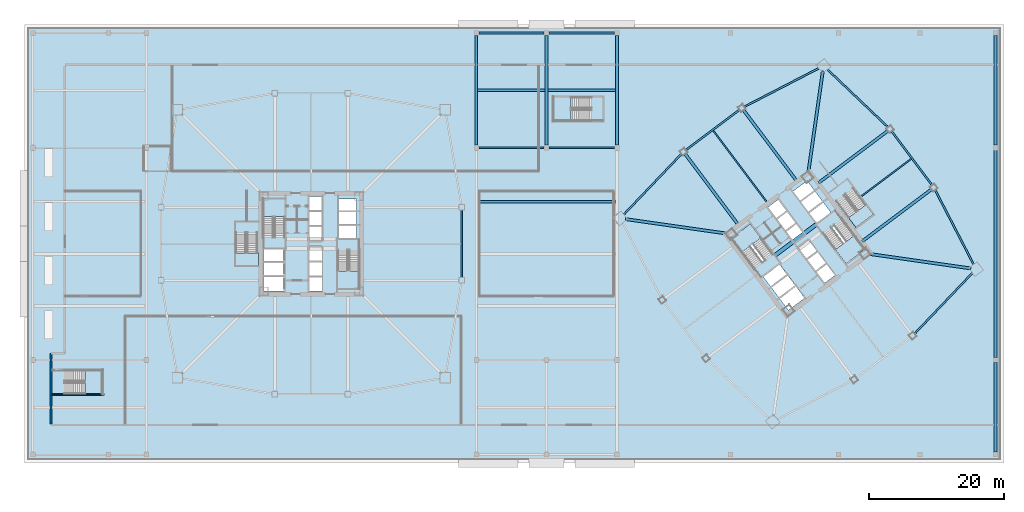
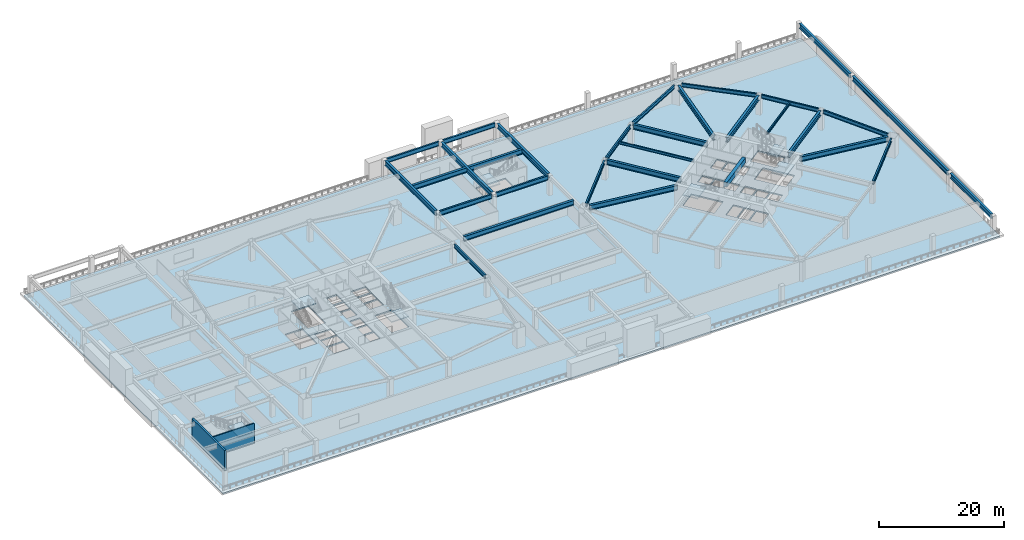
# One storey, part 4 of 20: 30 beams, 9 slabs, 2 walls, 8 elements without a shape of their own.
"""IFC4 building model written with IfcOpenShell, lengths in metres."""

import ifcopenshell
import ifcopenshell.guid

model = None  # the IFC model being written
_history = None  # IfcOwnerHistory: only IFC2X3 demands one
_inside = {}  # id of a spatial element -> (the spatial element, [elements in it])
_under = {}  # id of a project, library or spatial element -> (it, [spatial elements below it])
_declared = {}  # id of a project -> (the project, [libraries it declares])
_typed = {}  # id of a type object -> (the type object, [elements of that type])
_made_of = {}  # id of a material, layer set ... -> (it, [elements and type objects made of it])


def new_model(schema):
    """Start an empty IFC model of exactly this schema.

    Asked for "IFC4X3", IfcOpenShell would pick the latest addendum, in which some entities
    have other attributes; the version numbers below select the first issue.
    IFC2X3 requires an IfcOwnerHistory on every rooted entity: one is made here for all.
    """
    global model, _history
    if schema == "IFC4X3":
        model = ifcopenshell.file(schema_version=(4, 3, 0, 0))
    else:
        model = ifcopenshell.file(schema=schema)
    _inside.clear()
    _under.clear()
    _declared.clear()
    _typed.clear()
    _made_of.clear()
    _history = None
    if model.schema == "IFC2X3":
        org = make("IfcOrganization", Name="unknown")
        user = make(
            "IfcPersonAndOrganization",
            ThePerson=make("IfcPerson", FamilyName="unknown"),
            TheOrganization=org,
        )
        app = make(
            "IfcApplication",
            ApplicationDeveloper=org,
            Version="unknown",
            ApplicationFullName="unknown",
            ApplicationIdentifier="unknown",
        )
        _history = make(
            "IfcOwnerHistory",
            OwningUser=user,
            OwningApplication=app,
            ChangeAction="ADDED",
            CreationDate=0,
        )
    return model


def make(cls, **values):
    """One entity of the class cls with the attributes given. An attribute that is None is left unset."""
    return model.create_entity(
        cls, **{name: value for name, value in values.items() if value is not None}
    )


def rooted(cls, **values):
    """An entity with a GlobalId (a new one), such as an element, a storey or a relation."""
    return make(cls, GlobalId=ifcopenshell.guid.new(), OwnerHistory=_history, **values)


def si_unit(unit_type, name, prefix=None):
    """IfcSIUnit, for example si_unit("LENGTHUNIT", "METRE", prefix="MILLI")."""
    return make("IfcSIUnit", UnitType=unit_type, Prefix=prefix, Name=name)


def assignment(units):
    """IfcUnitAssignment: the units of a project."""
    return None if units is None else make("IfcUnitAssignment", Units=units)


def point(xyz):
    """IfcCartesianPoint."""
    return None if xyz is None else make("IfcCartesianPoint", Coordinates=xyz)


def direction(xyz):
    """IfcDirection."""
    return None if xyz is None else make("IfcDirection", DirectionRatios=xyz)


def frame(location, z_axis=None, x_axis=None):
    """IfcAxis2Placement3D, a coordinate frame: its origin and axes. An axis left out is left unset."""
    return make(
        "IfcAxis2Placement3D",
        Location=point(location),
        Axis=direction(z_axis),
        RefDirection=direction(x_axis),
    )


def frame_2d(location, x_axis=None):
    """IfcAxis2Placement2D, a coordinate frame in the plane: its origin and x axis."""
    return make(
        "IfcAxis2Placement2D", Location=point(location), RefDirection=direction(x_axis)
    )


def origin():
    """The frame at (0, 0, 0) with its axes left unset."""
    return frame((0.0, 0.0, 0.0))


def origin_2d():
    """The frame at (0, 0) in the plane with its x axis left unset."""
    return frame_2d((0.0, 0.0))


def place(relative_to, where):
    """IfcLocalPlacement: puts the frame where relative to a parent placement (None: the world)."""
    return make(
        "IfcLocalPlacement", PlacementRelTo=relative_to, RelativePlacement=where
    )


def context(
    kind, dimensions, precision=None, world=None, true_north=None, identifier=None
):
    """IfcGeometricRepresentationContext, for example the 3D "Model" context."""
    return make(
        "IfcGeometricRepresentationContext",
        ContextIdentifier=identifier,
        ContextType=kind,
        CoordinateSpaceDimension=dimensions,
        Precision=precision,
        WorldCoordinateSystem=world,
        TrueNorth=true_north,
    )


def subcontext(parent, identifier, kind, view, scale=None):
    """IfcGeometricRepresentationSubContext, for example "Body" below "Model"."""
    return make(
        "IfcGeometricRepresentationSubContext",
        ContextIdentifier=identifier,
        ContextType=kind,
        ParentContext=parent,
        TargetScale=scale,
        TargetView=view,
    )


def project(units=None, contexts=None):
    """IfcProject with its units and contexts."""
    return rooted(
        "IfcProject",
        Name="project",
        RepresentationContexts=contexts,
        UnitsInContext=assignment(units),
    )


def spatial(cls, under=None, at=None, **own):
    """A site, building, storey or space (cls), placed at a placement, below another one or the project."""
    s = rooted(cls, ObjectPlacement=at, **own)
    if under is not None:
        _under.setdefault(under.id(), (under, []))[1].append(s)
    return s


def polyline(points):
    """IfcPolyline through the points."""
    return make("IfcPolyline", Points=[point(p) for p in points])


def profile(cls, at=None, kind="AREA", **sizes):
    """A parametric profile (cls). Its sizes go by their IFC names, for example OverallWidth=200.0."""
    return make(cls, ProfileType=kind, Position=at, **sizes)


def rectangle(**sizes):
    """IfcRectangleProfileDef."""
    return profile("IfcRectangleProfileDef", **sizes)


def i_section(**sizes):
    """IfcIShapeProfileDef."""
    return profile("IfcIShapeProfileDef", **sizes)


def outline(outer, holes=None, kind="AREA"):
    """IfcArbitraryClosedProfileDef: a profile drawn as a closed curve; with holes, ...WithVoids."""
    if holes is None:
        return make("IfcArbitraryClosedProfileDef", ProfileType=kind, OuterCurve=outer)
    return make(
        "IfcArbitraryProfileDefWithVoids",
        ProfileType=kind,
        OuterCurve=outer,
        InnerCurves=holes,
    )


def extrude(swept, where, along, depth):
    """IfcExtrudedAreaSolid: the profile swept, set in the frame where, extruded along a direction by depth."""
    return make(
        "IfcExtrudedAreaSolid",
        SweptArea=swept,
        Position=where,
        ExtrudedDirection=direction(along),
        Depth=depth,
    )


def shape(context_of_items, identifier, shape_type, items):
    """IfcShapeRepresentation: the items that make up one representation, for example the "Body"."""
    return make(
        "IfcShapeRepresentation",
        ContextOfItems=context_of_items,
        RepresentationIdentifier=identifier,
        RepresentationType=shape_type,
        Items=items,
    )


def material(Name=None, Category=None):
    """IfcMaterial."""
    return make("IfcMaterial", Name=Name, Category=Category)


def layer(
    of_material, thickness, ventilated=None, Name=None, Category=None, Priority=None
):
    """IfcMaterialLayer: one layer of a wall or slab, of a material (None: an air gap)."""
    return make(
        "IfcMaterialLayer",
        Material=of_material,
        LayerThickness=thickness,
        IsVentilated=ventilated,
        Name=Name,
        Category=Category,
        Priority=Priority,
    )


def layer_set(layers, Name=None):
    """IfcMaterialLayerSet."""
    return make("IfcMaterialLayerSet", MaterialLayers=layers, LayerSetName=Name)


def material_profile(
    of_material, cross_section, Name=None, Category=None, Priority=None
):
    """IfcMaterialProfile: a cross section and its material."""
    return make(
        "IfcMaterialProfile",
        Name=Name,
        Material=of_material,
        Profile=cross_section,
        Priority=Priority,
        Category=Category,
    )


def profile_set(profiles, Name=None, composite=None):
    """IfcMaterialProfileSet."""
    return make(
        "IfcMaterialProfileSet",
        Name=Name,
        MaterialProfiles=profiles,
        CompositeProfile=composite,
    )


def made_of(thing, what):
    """Note that an element or type object is made of a material, layer set ...; save() writes the relation."""
    if what is not None:
        _made_of.setdefault(what.id(), (what, []))[1].append(thing)
    return thing


def type_object(cls, material=None, **own):
    """A type object (cls), such as IfcWallType, which elements share."""
    return made_of(rooted(cls, **own), material)


def element(
    cls,
    number,
    at=None,
    inside=None,
    cuts=None,
    type_object=None,
    material=None,
    context=None,
    identifier="Body",
    shape_type=None,
    held_by="IfcProductDefinitionShape",
    body=None,
    shapes=None,
    **own,
):
    """One element of the class cls, such as IfcWall. Its Tag is "e" and its number.

    at: its placement. inside: the storey or other place that contains it. cuts: it is an
    opening in that element (IfcRelVoidsElement). A single representation is given by context,
    identifier, shape_type and body (its items); several are given by shapes. held_by: the class
    of the entity that holds the representations. save() writes the other relations.
    """
    e = rooted(cls, Tag="e%d" % number, ObjectPlacement=at, **own)
    if body is not None:
        shapes = [shape(context, identifier, shape_type, body)]
    if shapes is not None:
        e.Representation = make(held_by, Representations=shapes)
    if inside is not None:
        _inside.setdefault(inside.id(), (inside, []))[1].append(e)
    if cuts is not None:
        rooted(
            "IfcRelVoidsElement", RelatingBuildingElement=cuts, RelatedOpeningElement=e
        )
    if type_object is not None:
        _typed.setdefault(type_object.id(), (type_object, []))[1].append(e)
    return made_of(e, material)


def aggregate(whole, parts):
    """IfcRelAggregates: a whole, such as a stair, and the parts it consists of."""
    return rooted("IfcRelAggregates", RelatingObject=whole, RelatedObjects=parts)


def save(model, path):
    """Write the relations noted so far, then the file.

    IfcRelAggregates (storeys below a building ...), IfcRelContainedInSpatialStructure (elements
    in a storey), IfcRelDefinesByType, IfcRelAssociatesMaterial and IfcRelDeclares: one each for
    every whole, place, type object, material and project.
    """
    for whole, parts in _under.values():
        aggregate(whole, parts)
    for where, things in _inside.values():
        rooted(
            "IfcRelContainedInSpatialStructure",
            RelatedElements=things,
            RelatingStructure=where,
        )
    for kind, things in _typed.values():
        rooted("IfcRelDefinesByType", RelatedObjects=things, RelatingType=kind)
    for what, things in _made_of.values():
        rooted("IfcRelAssociatesMaterial", RelatedObjects=things, RelatingMaterial=what)
    for by, libraries in _declared.values():
        rooted("IfcRelDeclares", RelatingContext=by, RelatedDefinitions=libraries)
    model.write(path)


model = new_model("IFC4")

# Units and contexts
model_context = context("Model", 3, precision=1e-05, world=origin(), true_north=direction((0.0, 1.0)))
body_context = subcontext(model_context, "Body", "Model", "MODEL_VIEW")
ifc_project = project(units=[si_unit("LENGTHUNIT", "METRE"), si_unit("AREAUNIT", "SQUARE_METRE"), si_unit("VOLUMEUNIT", "CUBIC_METRE"), si_unit("PLANEANGLEUNIT", "RADIAN"), si_unit("MASSUNIT", "GRAM", prefix="KILO")], contexts=[model_context])

# Site, building, storey
site_placement = place(None, origin())
site = spatial("IfcSite", under=ifc_project, at=site_placement, CompositionType="ELEMENT")
building_placement = place(site_placement, origin())
building = spatial("IfcBuilding", under=site, at=building_placement, Name="Tashvorn Skyway Center", CompositionType="ELEMENT")
storey_placement = place(building_placement, frame((0.0, 0.0, 15.60009765625)))
storey = spatial("IfcBuildingStorey", under=building, at=storey_placement, Name="L03", CompositionType="ELEMENT", Elevation=15.60009765625)

# Beams
ifc_material_1 = material(Name="Steel ASTM A992 Grade 50", Category="steel")
ifc_material_profile_1 = material_profile(ifc_material_1, i_section(OverallWidth=0.2919921875, OverallDepth=0.85888671875, WebThickness=0.01708984375, FlangeThickness=0.031005859375, at=origin_2d()), Name="W33X169")
ifc_profile_set_1 = profile_set([ifc_material_profile_1], Name="Steel ASTM A992 Grade 50")
beam_type_1 = type_object("IfcBeamType", Name="BM-BEAM-W33X169", PredefinedType="BEAM", material=ifc_profile_set_1)
beam_1_placement = place(storey_placement, frame((66.77001953125, 46.199951171875, 3.470458984375), z_axis=(1.0, 0.0, 0.0), x_axis=(0.0, 1.0, 0.0)))
element("IfcBeam", 1, at=beam_1_placement, inside=storey, type_object=beam_type_1, Name="L03 Central Podium Girder A 07", PredefinedType="BEAM", context=body_context, shape_type="SweptSolid", body=[
    extrude(i_section(OverallWidth=0.2919921875, OverallDepth=0.85888671875, WebThickness=0.01708984375, FlangeThickness=0.031005859375, at=origin_2d()), origin(), (0.0, 0.0, 1.0), 9.659912109375),
])
beam_2_placement = place(storey_placement, frame((77.169921875, 46.199951171875, 3.470458984375), z_axis=(1.0, 0.0, 0.0), x_axis=(0.0, 1.0, 0.0)))
element("IfcBeam", 2, at=beam_2_placement, inside=storey, type_object=beam_type_1, Name="L03 Central Podium Girder B 07", PredefinedType="BEAM", context=body_context, shape_type="SweptSolid", body=[
    extrude(i_section(OverallWidth=0.2919921875, OverallDepth=0.85888671875, WebThickness=0.01708984375, FlangeThickness=0.031005859375, at=origin_2d()), origin(), (0.0, 0.0, 1.0), 9.66015625),
])
beam_3_placement = place(storey_placement, frame((66.77001953125, 63.199951171875, 3.470458984375), z_axis=(1.0, 0.0, 0.0), x_axis=(0.0, 1.0, 0.0)))
element("IfcBeam", 3, at=beam_3_placement, inside=storey, type_object=beam_type_1, Name="L03 Central Podium Girder A 09", PredefinedType="BEAM", context=body_context, shape_type="SweptSolid", body=[
    extrude(i_section(OverallWidth=0.2919921875, OverallDepth=0.85888671875, WebThickness=0.01708984375, FlangeThickness=0.031005859375, at=origin_2d()), origin(), (0.0, 0.0, 1.0), 9.659912109375),
])
beam_4_placement = place(storey_placement, frame((77.169921875, 63.199951171875, 3.470458984375), z_axis=(1.0, 0.0, 0.0), x_axis=(0.0, 1.0, 0.0)))
element("IfcBeam", 4, at=beam_4_placement, inside=storey, type_object=beam_type_1, Name="L03 Central Podium Girder B 09", PredefinedType="BEAM", context=body_context, shape_type="SweptSolid", body=[
    extrude(i_section(OverallWidth=0.2919921875, OverallDepth=0.85888671875, WebThickness=0.01708984375, FlangeThickness=0.031005859375, at=origin_2d()), origin(), (0.0, 0.0, 1.0), 9.66015625),
])
ifc_material_2 = material(Name="Steel ASTM A913 Grade 65", Category="steel")
ifc_material_profile_2 = material_profile(ifc_material_2, i_section(OverallWidth=0.4189453125, OverallDepth=0.927001953125, WebThickness=0.019287109375, FlangeThickness=0.031982421875, at=origin_2d()), Name="W36X231")
ifc_profile_set_2 = profile_set([ifc_material_profile_2], Name="Steel ASTM A913 Grade 65")
beam_type_2 = type_object("IfcBeamType", Name="BM-BEAM-W36X231", PredefinedType="BEAM", material=ifc_profile_set_2)
for number, where, z_axis, x_axis, name in (
    (5, (139.532958984375, 28.3525390625, 3.4365234375), (-0.989950458816, 0.141414599991, 0.0), (-0.141414599991, -0.989950458816, 0.0), "Tower 2 L03 Primary Floor Girder MC-SE"),
    (6, (117.6474609375, 57.532958984375, 3.4365234375), (-0.141414599991, -0.989950458816, 0.0), (0.989950458816, -0.141414599991, 0.0), "Tower 2 L03 Primary Floor Girder MC-NE"),
    (7, (88.467041015625, 35.6474609375, 3.4365234375), (0.989950458816, -0.141414599991, 0.0), (0.141414599991, 0.989950458816, 0.0), "Tower 2 L03 Primary Floor Girder MC-NW"),
):
    element("IfcBeam", number, at=place(storey_placement, frame(where, z_axis=z_axis, x_axis=x_axis)), inside=storey, type_object=beam_type_2, Name=name, PredefinedType="BEAM", context=body_context, shape_type="SweptSolid", body=[
        extrude(i_section(OverallWidth=0.4189453125, OverallDepth=0.927001953125, WebThickness=0.019287109375, FlangeThickness=0.031982421875, at=origin_2d()), origin(), (0.0, 0.0, 1.0), 15.177001953125),
    ])
beam_5_placement = place(storey_placement, frame((133.743896484375, 40.05810546875, 3.4365234375), z_axis=(-0.799986320265, -0.600018239213, 0.0), x_axis=(0.600018239213, -0.799986320265, 0.0)))
element("IfcBeam", 8, at=beam_5_placement, inside=storey, type_object=beam_type_2, Name="Tower 2 L03 Primary Floor Girder FC-E1", PredefinedType="BEAM", context=body_context, shape_type="SweptSolid", body=[
    extrude(i_section(OverallWidth=0.4189453125, OverallDepth=0.927001953125, WebThickness=0.019287109375, FlangeThickness=0.031982421875, at=origin_2d()), origin(), (0.0, 0.0, 1.0), 12.849853515625),
])
beam_6_placement = place(storey_placement, frame((127.263916015625, 48.697998046875, 3.4365234375), z_axis=(-0.800002279907, -0.599996960112, 0.0), x_axis=(0.599996960112, -0.800002279907, 0.0)))
element("IfcBeam", 9, at=beam_6_placement, inside=storey, type_object=beam_type_2, Name="Tower 2 L03 Primary Floor Girder FC-E2", PredefinedType="BEAM", context=body_context, shape_type="SweptSolid", body=[
    extrude(i_section(OverallWidth=0.4189453125, OverallDepth=0.927001953125, WebThickness=0.019287109375, FlangeThickness=0.031982421875, at=origin_2d()), origin(), (0.0, 0.0, 1.0), 12.85009765625),
])
beam_7_placement = place(storey_placement, frame((105.94189453125, 51.743896484375, 3.4365234375), z_axis=(0.600018239213, -0.799986320265, 0.0), x_axis=(0.799986320265, 0.600018239213, 0.0)))
element("IfcBeam", 10, at=beam_7_placement, inside=storey, type_object=beam_type_2, Name="Tower 2 L03 Primary Floor Girder FC-N1", PredefinedType="BEAM", context=body_context, shape_type="SweptSolid", body=[
    extrude(i_section(OverallWidth=0.4189453125, OverallDepth=0.927001953125, WebThickness=0.019287109375, FlangeThickness=0.031982421875, at=origin_2d()), origin(), (0.0, 0.0, 1.0), 12.849853515625),
])
beam_8_placement = place(storey_placement, frame((97.302001953125, 45.263916015625, 3.4365234375), z_axis=(0.599996960112, -0.800002279907, 0.0), x_axis=(0.800002279907, 0.599996960112, 0.0)))
element("IfcBeam", 11, at=beam_8_placement, inside=storey, type_object=beam_type_2, Name="Tower 2 L03 Primary Floor Girder FC-N2", PredefinedType="BEAM", context=body_context, shape_type="SweptSolid", body=[
    extrude(i_section(OverallWidth=0.4189453125, OverallDepth=0.927001953125, WebThickness=0.019287109375, FlangeThickness=0.031982421875, at=origin_2d()), origin(), (0.0, 0.0, 1.0), 12.85009765625),
])
for number, where, z_axis, x_axis, name in (
    (12, (66.39990234375, 46.570068359375, 3.4365234375), (0.0, 1.0, 0.0), (-1.0, 0.0, 0.0), "L03 North-South Podium Girder 03-N"),
    (13, (76.800048828125, 46.570068359375, 3.4365234375), (0.0, 1.0, 0.0), (-1.0, 0.0, 0.0), "L03 North-South Podium Girder 04-N"),
    (14, (87.199951171875, 46.570068359375, 3.4365234375), (0.0, 1.0, 0.0), (-1.0, 0.0, 0.0), "L03 North-South Podium Girder 05-N"),
):
    element("IfcBeam", number, at=place(storey_placement, frame(where, z_axis=z_axis, x_axis=x_axis)), inside=storey, type_object=beam_type_2, Name=name, PredefinedType="BEAM", context=body_context, shape_type="SweptSolid", body=[
        extrude(i_section(OverallWidth=0.4189453125, OverallDepth=0.927001953125, WebThickness=0.019287109375, FlangeThickness=0.031982421875, at=origin_2d()), origin(), (0.0, 0.0, 1.0), 16.260009765625),
    ])
beam_9_placement = place(storey_placement, frame((143.199951171875, 1.169921875, 3.4365234375), z_axis=(0.0, 1.0, 0.0), x_axis=(-1.0, 0.0, 0.0)))
element("IfcBeam", 15, at=beam_9_placement, inside=storey, type_object=beam_type_2, Name="L03 North-South Podium Girder 06-S", PredefinedType="BEAM", context=body_context, shape_type="SweptSolid", body=[
    extrude(i_section(OverallWidth=0.4189453125, OverallDepth=0.927001953125, WebThickness=0.019287109375, FlangeThickness=0.031982421875, at=origin_2d()), origin(), (0.0, 0.0, 1.0), 13.260009765625),
])
beam_10_placement = place(storey_placement, frame((143.199951171875, 15.169921875, 3.4365234375), z_axis=(0.0, 1.0, 0.0), x_axis=(-1.0, 0.0, 0.0)))
element("IfcBeam", 16, at=beam_10_placement, inside=storey, type_object=beam_type_2, Name="L03 North-South Podium Girder 06-M", PredefinedType="BEAM", context=body_context, shape_type="SweptSolid", body=[
    extrude(i_section(OverallWidth=0.4189453125, OverallDepth=0.927001953125, WebThickness=0.019287109375, FlangeThickness=0.031982421875, at=origin_2d()), origin(), (0.0, 0.0, 1.0), 30.66015625),
])
beam_11_placement = place(storey_placement, frame((143.199951171875, 46.570068359375, 3.4365234375), z_axis=(0.0, 1.0, 0.0), x_axis=(-1.0, 0.0, 0.0)))
element("IfcBeam", 17, at=beam_11_placement, inside=storey, type_object=beam_type_2, Name="L03 North-South Podium Girder 06-N", PredefinedType="BEAM", context=body_context, shape_type="SweptSolid", body=[
    extrude(i_section(OverallWidth=0.4189453125, OverallDepth=0.927001953125, WebThickness=0.019287109375, FlangeThickness=0.031982421875, at=origin_2d()), origin(), (0.0, 0.0, 1.0), 16.260009765625),
])
for number, where, z_axis, x_axis, name in (
    (18, (66.6015625, 38.199951171875, 3.4365234375), (1.0, 0.0, 0.0), (0.0, 1.0, 0.0), "L03 Central Concourse Span Girder 06"),
    (19, (66.6015625, 54.699951171875, 3.4365234375), (1.0, 0.0, 0.0), (0.0, 1.0, 0.0), "L03 Central Concourse Span Girder 08"),
):
    element("IfcBeam", number, at=place(storey_placement, frame(where, z_axis=z_axis, x_axis=x_axis)), inside=storey, type_object=beam_type_2, Name=name, PredefinedType="BEAM", context=body_context, shape_type="SweptSolid", body=[
        extrude(i_section(OverallWidth=0.4189453125, OverallDepth=0.927001953125, WebThickness=0.019287109375, FlangeThickness=0.031982421875, at=origin_2d()), origin(), (0.0, 0.0, 1.0), 20.39697265625),
    ])
ifc_material_profile_3 = material_profile(ifc_material_1, i_section(OverallWidth=0.19091796875, OverallDepth=0.4599609375, WebThickness=0.010009765625, FlangeThickness=0.01611328125, at=origin_2d()), Name="W18X55")
ifc_profile_set_3 = profile_set([ifc_material_profile_3], Name="Steel ASTM A992 Grade 50")
beam_type_3 = type_object("IfcBeamType", Name="BM-JOIST-W18X55", PredefinedType="JOIST", material=ifc_profile_set_3)
beam_12_placement = place(storey_placement, frame((109.325927734375, 38.23193359375, 3.669921875), z_axis=(-0.600002972791, 0.799997770398, 0.0), x_axis=(-0.799997770398, -0.600002972791, 0.0)))
element("IfcBeam", 20, at=beam_12_placement, inside=storey, type_object=beam_type_3, Name="Tower 2 L03 Secondary Composite Joist JN", PredefinedType="JOIST", context=body_context, shape_type="SweptSolid", body=[
    extrude(i_section(OverallWidth=0.19091796875, OverallDepth=0.4599609375, WebThickness=0.010009765625, FlangeThickness=0.01611328125, at=origin_2d()), origin(), (0.0, 0.0, 1.0), 13.139892578125),
])
beam_13_placement = place(storey_placement, frame((123.3359375, 39.001953125, 3.669921875), z_axis=(0.799990508532, 0.600012655082, 0.0), x_axis=(-0.600012655082, 0.799990508532, 0.0)))
element("IfcBeam", 21, at=beam_13_placement, inside=storey, type_object=beam_type_3, Name="Tower 2 L03 Secondary Composite Joist JE", PredefinedType="JOIST", context=body_context, shape_type="SweptSolid", body=[
    extrude(i_section(OverallWidth=0.19091796875, OverallDepth=0.4599609375, WebThickness=0.010009765625, FlangeThickness=0.01611328125, at=origin_2d()), origin(), (0.0, 0.0, 1.0), 9.260009765625),
])
ifc_material_3 = material(Name="Concrete C60/75", Category="concrete")
ifc_material_profile_4 = material_profile(ifc_material_3, rectangle(XDim=0.60009765625, YDim=0.949951171875, at=origin_2d()), Name="RCB600x950")
ifc_profile_set_4 = profile_set([ifc_material_profile_4], Name="Concrete C60/75")
beam_type_4 = type_object("IfcBeamType", Name="BM-LINTEL-RCB600x950", PredefinedType="LINTEL", material=ifc_profile_set_4)
beam_14_placement = place(storey_placement, frame((110.552001953125, 30.263916015625, 3.4248046875), z_axis=(0.8, 0.6, 0.0), x_axis=(-0.6, 0.8, 0.0)))
element("IfcBeam", 22, at=beam_14_placement, inside=storey, type_object=beam_type_4, Name="Tower 2 L03 Core Coupling Beam CN", PredefinedType="LINTEL", context=body_context, shape_type="SweptSolid", body=[
    extrude(rectangle(XDim=0.60009765625, YDim=0.949951171875, at=origin_2d()), origin(), (0.0, 0.0, 1.0), 7.60009765625),
])
ifc_material_profile_5 = material_profile(ifc_material_1, i_section(OverallWidth=0.256103515625, OverallDepth=0.693115234375, WebThickness=0.014404296875, FlangeThickness=0.023681640625, at=origin_2d()), Name="W27X114")
ifc_profile_set_5 = profile_set([ifc_material_profile_5], Name="Steel ASTM A992 Grade 50")
beam_type_5 = type_object("IfcBeamType", Name="BM-SPANDREL-W27X114", PredefinedType="SPANDREL", material=ifc_profile_set_5)
beam_15_placement = place(storey_placement, frame((64.25, 27.02001953125, 3.553466796875), z_axis=(0.0, 1.0, 0.0), x_axis=(-1.0, 0.0, 0.0)))
element("IfcBeam", 23, at=beam_15_placement, inside=storey, type_object=beam_type_5, Name="Tower 1 L03 Spandrel Beam 05", PredefinedType="SPANDREL", context=body_context, shape_type="SweptSolid", body=[
    extrude(i_section(OverallWidth=0.256103515625, OverallDepth=0.693115234375, WebThickness=0.014404296875, FlangeThickness=0.023681640625, at=origin_2d()), origin(), (0.0, 0.0, 1.0), 9.9599609375),
])
for number, where, z_axis, x_axis, name in (
    (24, (131.23974609375, 18.7041015625, 3.553466796875), (0.689589637236, 0.724200339835, 0.0), (-0.724200339835, 0.689589637236, 0.0), "Tower 2 L03 Spandrel Beam 03"),
    (25, (139.954833984375, 28.9462890625, 3.553466796875), (-0.459233413919, 0.888315637339, 0.0), (-0.888315637339, -0.459233413919, 0.0), "Tower 2 L03 Spandrel Beam 04"),
):
    element("IfcBeam", number, at=place(storey_placement, frame(where, z_axis=z_axis, x_axis=x_axis)), inside=storey, type_object=beam_type_5, Name=name, PredefinedType="SPANDREL", context=body_context, shape_type="SweptSolid", body=[
        extrude(i_section(OverallWidth=0.256103515625, OverallDepth=0.693115234375, WebThickness=0.014404296875, FlangeThickness=0.023681640625, at=origin_2d()), origin(), (0.0, 0.0, 1.0), 12.37255859375),
    ])
beam_16_placement = place(storey_placement, frame((133.827880859375, 40.64599609375, 3.553466796875), z_axis=(-0.599988234018, 0.800008824351, 0.0), x_axis=(-0.800008824351, -0.599988234018, 0.0)))
element("IfcBeam", 26, at=beam_16_placement, inside=storey, type_object=beam_type_5, Name="Tower 2 L03 Spandrel Beam 05", PredefinedType="SPANDREL", context=body_context, shape_type="SweptSolid", body=[
    extrude(i_section(OverallWidth=0.256103515625, OverallDepth=0.693115234375, WebThickness=0.014404296875, FlangeThickness=0.023681640625, at=origin_2d()), origin(), (0.0, 0.0, 1.0), 9.9599609375),
])
for number, where, z_axis, x_axis, name in (
    (27, (127.2958984375, 49.23974609375, 3.553466796875), (-0.724200339835, 0.689589637236, 0.0), (-0.689589637236, -0.724200339835, 0.0), "Tower 2 L03 Spandrel Beam 06"),
    (28, (117.0537109375, 57.954833984375, 3.553466796875), (-0.888315637339, -0.459233413919, 0.0), (0.459233413919, -0.888315637339, 0.0), "Tower 2 L03 Spandrel Beam 07"),
):
    element("IfcBeam", number, at=place(storey_placement, frame(where, z_axis=z_axis, x_axis=x_axis)), inside=storey, type_object=beam_type_5, Name=name, PredefinedType="SPANDREL", context=body_context, shape_type="SweptSolid", body=[
        extrude(i_section(OverallWidth=0.256103515625, OverallDepth=0.693115234375, WebThickness=0.014404296875, FlangeThickness=0.023681640625, at=origin_2d()), origin(), (0.0, 0.0, 1.0), 12.37255859375),
    ])
beam_17_placement = place(storey_placement, frame((105.35400390625, 51.827880859375, 3.553466796875), z_axis=(-0.800008824351, -0.599988234018, 0.0), x_axis=(0.599988234018, -0.800008824351, 0.0)))
element("IfcBeam", 29, at=beam_17_placement, inside=storey, type_object=beam_type_5, Name="Tower 2 L03 Spandrel Beam 08", PredefinedType="SPANDREL", context=body_context, shape_type="SweptSolid", body=[
    extrude(i_section(OverallWidth=0.256103515625, OverallDepth=0.693115234375, WebThickness=0.014404296875, FlangeThickness=0.023681640625, at=origin_2d()), origin(), (0.0, 0.0, 1.0), 9.9599609375),
])
beam_18_placement = place(storey_placement, frame((96.76025390625, 45.2958984375, 3.553466796875), z_axis=(-0.689589637236, -0.724200339835, 0.0), x_axis=(0.724200339835, -0.689589637236, 0.0)))
element("IfcBeam", 30, at=beam_18_placement, inside=storey, type_object=beam_type_5, Name="Tower 2 L03 Spandrel Beam 09", PredefinedType="SPANDREL", context=body_context, shape_type="SweptSolid", body=[
    extrude(i_section(OverallWidth=0.256103515625, OverallDepth=0.693115234375, WebThickness=0.014404296875, FlangeThickness=0.023681640625, at=origin_2d()), origin(), (0.0, 0.0, 1.0), 12.37255859375),
])

# Slab
ifc_material_4 = material(Name="Concrete C40/50", Category="concrete")
ifc_layer_1 = layer(ifc_material_4, 0.260009765625)
ifc_layer_set_1 = layer_set([ifc_layer_1], Name="Concrete C40/50")
slab_type_1 = type_object("IfcSlabType", Name="SLAB-FLR-260", PredefinedType="FLOOR", material=ifc_layer_set_1)
slab_1_placement = place(storey_placement, frame((0.0, 0.0, -0.260009765625)))
element("IfcSlab", 31, at=slab_1_placement, inside=storey, type_object=slab_type_1, Name="L03 Podium Composite Structural Floor Slab", PredefinedType="FLOOR", context=body_context, shape_type="SweptSolid", body=[
    extrude(outline(polyline([(0.0, 0.0), (144.0, 0.0), (144.0, 64.0), (0.0, 64.0), (0.0, 0.0)]), holes=[polyline([(38.10009765625, 33.080078125), (38.10009765625, 38.60009765625), (34.89990234375, 38.60009765625), (34.89990234375, 33.080078125), (38.10009765625, 33.080078125)]), polyline([(45.89990234375, 30.919921875), (45.89990234375, 25.39990234375), (49.10009765625, 25.39990234375), (49.10009765625, 30.919921875), (45.89990234375, 30.919921875)]), polyline([(110.23193359375, 30.52392578125), (106.919921875, 34.93994140625), (104.135986328125, 32.85205078125), (107.447998046875, 28.43603515625), (110.23193359375, 30.52392578125)]), polyline([(117.76806640625, 33.47607421875), (121.080078125, 29.06005859375), (123.864013671875, 31.14794921875), (120.552001953125, 35.56396484375), (117.76806640625, 33.47607421875)]), polyline([(30.800048828125, 33.52001953125), (30.800048828125, 28.800048828125), (34.0, 28.800048828125), (34.0, 33.52001953125), (30.800048828125, 33.52001953125)]), polyline([(119.7119140625, 38.18408203125), (122.5439453125, 34.407958984375), (125.10400390625, 36.327880859375), (122.27197265625, 40.10400390625), (119.7119140625, 38.18408203125)]), polyline([(5.610107421875, 9.800048828125), (11.10009765625, 9.800048828125), (11.10009765625, 13.300048828125), (5.610107421875, 13.300048828125), (5.610107421875, 9.800048828125)]), polyline([(83.2900390625, 53.699951171875), (77.800048828125, 53.699951171875), (77.800048828125, 50.199951171875), (83.2900390625, 50.199951171875), (83.2900390625, 53.699951171875)]), polyline([(34.949951171875, 29.35009765625), (37.949951171875, 29.35009765625), (37.949951171875, 31.199951171875), (34.949951171875, 31.199951171875), (34.949951171875, 29.35009765625)]), polyline([(34.949951171875, 27.35009765625), (37.949951171875, 27.35009765625), (37.949951171875, 29.199951171875), (34.949951171875, 29.199951171875), (34.949951171875, 27.35009765625)]), polyline([(34.949951171875, 25.0), (37.949951171875, 25.0), (37.949951171875, 27.14990234375), (34.949951171875, 27.14990234375), (34.949951171875, 25.0)]), polyline([(41.64990234375, 25.0), (43.550048828125, 25.0), (43.550048828125, 27.050048828125), (41.64990234375, 27.050048828125), (41.64990234375, 25.0)]), polyline([(41.64990234375, 27.25), (43.550048828125, 27.25), (43.550048828125, 29.300048828125), (41.64990234375, 29.300048828125), (41.64990234375, 27.25)]), polyline([(41.64990234375, 29.5), (43.550048828125, 29.5), (43.550048828125, 31.550048828125), (41.64990234375, 31.550048828125), (41.64990234375, 29.5)]), polyline([(41.64990234375, 32.449951171875), (43.550048828125, 32.449951171875), (43.550048828125, 34.5), (41.64990234375, 34.5), (41.64990234375, 32.449951171875)]), polyline([(41.64990234375, 34.699951171875), (43.550048828125, 34.699951171875), (43.550048828125, 36.75), (41.64990234375, 36.75), (41.64990234375, 34.699951171875)]), polyline([(41.64990234375, 36.949951171875), (43.550048828125, 36.949951171875), (43.550048828125, 39.0), (41.64990234375, 39.0), (41.64990234375, 36.949951171875)]), polyline([(46.050048828125, 32.800048828125), (48.64990234375, 32.800048828125), (48.64990234375, 34.64990234375), (46.050048828125, 34.64990234375), (46.050048828125, 32.800048828125)]), polyline([(46.050048828125, 34.85009765625), (48.64990234375, 34.85009765625), (48.64990234375, 36.699951171875), (46.050048828125, 36.699951171875), (46.050048828125, 34.85009765625)]), polyline([(46.050048828125, 36.89990234375), (48.64990234375, 36.89990234375), (48.64990234375, 38.64990234375), (46.050048828125, 38.64990234375), (46.050048828125, 36.89990234375)]), polyline([(109.949951171875, 25.64990234375), (112.35009765625, 27.449951171875), (111.239990234375, 28.929931640625), (108.840087890625, 27.1298828125), (109.949951171875, 25.64990234375)]), polyline([(111.14990234375, 24.050048828125), (113.550048828125, 25.85009765625), (112.43994140625, 27.330078125), (110.0400390625, 25.530029296875), (111.14990234375, 24.050048828125)]), polyline([(112.56005859375, 22.169921875), (114.9599609375, 23.969970703125), (113.669921875, 25.68994140625), (111.27001953125, 23.889892578125), (112.56005859375, 22.169921875)]), polyline([(117.919921875, 26.18994140625), (119.43994140625, 27.330078125), (118.2099609375, 28.969970703125), (116.68994140625, 27.830078125), (117.919921875, 26.18994140625)]), polyline([(116.570068359375, 27.989990234375), (118.090087890625, 29.1298828125), (116.860107421875, 30.77001953125), (115.340087890625, 29.6298828125), (116.570068359375, 27.989990234375)]), polyline([(115.219970703125, 29.7900390625), (116.739990234375, 30.929931640625), (115.510009765625, 32.570068359375), (113.989990234375, 31.429931640625), (115.219970703125, 29.7900390625)]), polyline([(113.449951171875, 32.14990234375), (114.969970703125, 33.2900390625), (113.739990234375, 34.929931640625), (112.219970703125, 33.7900390625), (113.449951171875, 32.14990234375)]), polyline([(112.10009765625, 33.949951171875), (113.6201171875, 35.090087890625), (112.389892578125, 36.72998046875), (110.8701171875, 35.590087890625), (112.10009765625, 33.949951171875)]), polyline([(110.75, 35.75), (112.27001953125, 36.889892578125), (111.0400390625, 38.530029296875), (109.52001953125, 37.389892578125), (110.75, 35.75)]), polyline([(116.760009765625, 35.070068359375), (118.840087890625, 36.6298828125), (117.72998046875, 38.110107421875), (115.64990234375, 36.550048828125), (116.760009765625, 35.070068359375)]), polyline([(115.530029296875, 36.7099609375), (117.610107421875, 38.27001953125), (116.5, 39.75), (114.419921875, 38.18994140625), (115.530029296875, 36.7099609375)]), polyline([(114.300048828125, 38.35009765625), (116.3798828125, 39.909912109375), (115.330078125, 41.31005859375), (113.25, 39.75), (114.300048828125, 38.35009765625)])]), origin(), (0.0, 0.0, 1.0), 0.260009765625),
])

# Stair, slab
stair_type_1 = type_object("IfcStairType", Name="STAIR-CORE-1500", PredefinedType="HALF_TURN_STAIR", material=ifc_material_4)
stair_1_placement = place(storey_placement, origin())
stair_1 = element("IfcStair", 32, at=stair_1_placement, inside=storey, type_object=stair_type_1, Name="L03 Tower 1 Exit Stair 1", PredefinedType="HALF_TURN_STAIR")
ifc_layer_2 = layer(ifc_material_4, 0.199951171875)
ifc_layer_set_2 = layer_set([ifc_layer_2], Name="Concrete C40/50")
slab_type_2 = type_object("IfcSlabType", Name="SLAB-LAND-200", PredefinedType="LANDING", material=ifc_layer_set_2)
slab_2_placement = place(storey_placement, frame((0.0, 0.0, 1.89990234375)))
slab_2 = element("IfcSlab", 33, at=slab_2_placement, type_object=slab_type_2, Name="ST-T1-1 landing 1", PredefinedType="LANDING", context=body_context, shape_type="SweptSolid", body=[
    extrude(outline(polyline([(38.10009765625, 36.0), (38.10009765625, 38.60009765625), (34.89990234375, 38.60009765625), (34.89990234375, 36.0), (38.10009765625, 36.0)])), origin(), (0.0, 0.0, 1.0), 0.199951171875),
])
aggregate(stair_1, [slab_2])

stair_2_placement = place(storey_placement, origin())
stair_2 = element("IfcStair", 34, at=stair_2_placement, inside=storey, type_object=stair_type_1, Name="L03 Tower 1 Exit Stair 2", PredefinedType="HALF_TURN_STAIR")
slab_3_placement = place(storey_placement, frame((0.0, 0.0, 1.89990234375)))
slab_3 = element("IfcSlab", 35, at=slab_3_placement, type_object=slab_type_2, Name="ST-T1-2 landing 1", PredefinedType="LANDING", context=body_context, shape_type="SweptSolid", body=[
    extrude(outline(polyline([(45.89990234375, 28.0), (45.89990234375, 25.39990234375), (49.10009765625, 25.39990234375), (49.10009765625, 28.0), (45.89990234375, 28.0)])), origin(), (0.0, 0.0, 1.0), 0.199951171875),
])
aggregate(stair_2, [slab_3])

stair_3_placement = place(storey_placement, origin())
stair_3 = element("IfcStair", 36, at=stair_3_placement, inside=storey, type_object=stair_type_1, Name="L03 Tower 2 Exit Stair 1", PredefinedType="HALF_TURN_STAIR")
slab_4_placement = place(storey_placement, frame((0.0, 0.0, 1.89990234375)))
slab_4 = element("IfcSlab", 37, at=slab_4_placement, type_object=slab_type_2, Name="ST-T2-1 landing 1", PredefinedType="LANDING", context=body_context, shape_type="SweptSolid", body=[
    extrude(outline(polyline([(108.48486328125, 32.853515625), (106.919921875, 34.93994140625), (104.135986328125, 32.85205078125), (105.70068359375, 30.765625), (108.48486328125, 32.853515625)])), origin(), (0.0, 0.0, 1.0), 0.199951171875),
])
aggregate(stair_3, [slab_4])

stair_4_placement = place(storey_placement, origin())
stair_4 = element("IfcStair", 38, at=stair_4_placement, inside=storey, type_object=stair_type_1, Name="L03 Tower 2 Exit Stair 2", PredefinedType="HALF_TURN_STAIR")
slab_5_placement = place(storey_placement, frame((0.0, 0.0, 1.89990234375)))
slab_5 = element("IfcSlab", 39, at=slab_5_placement, type_object=slab_type_2, Name="ST-T2-2 landing 1", PredefinedType="LANDING", context=body_context, shape_type="SweptSolid", body=[
    extrude(outline(polyline([(119.51513671875, 31.146484375), (121.080078125, 29.06005859375), (123.864013671875, 31.14794921875), (122.29931640625, 33.234375), (119.51513671875, 31.146484375)])), origin(), (0.0, 0.0, 1.0), 0.199951171875),
])
aggregate(stair_4, [slab_5])

stair_5_placement = place(storey_placement, origin())
stair_5 = element("IfcStair", 40, at=stair_5_placement, inside=storey, type_object=stair_type_1, Name="L03 Tower 1 Exit Stair 3", PredefinedType="HALF_TURN_STAIR")
slab_6_placement = place(storey_placement, frame((0.0, 0.0, 1.89990234375)))
slab_6 = element("IfcSlab", 41, at=slab_6_placement, type_object=slab_type_2, Name="ST-T1-3 landing 1", PredefinedType="LANDING", context=body_context, shape_type="SweptSolid", body=[
    extrude(outline(polyline([(30.800048828125, 30.60009765625), (30.800048828125, 28.800048828125), (34.199951171875, 28.800048828125), (34.199951171875, 30.60009765625), (30.800048828125, 30.60009765625)])), origin(), (0.0, 0.0, 1.0), 0.199951171875),
])
aggregate(stair_5, [slab_6])

stair_6_placement = place(storey_placement, origin())
stair_6 = element("IfcStair", 42, at=stair_6_placement, inside=storey, type_object=stair_type_1, Name="L03 Tower 2 Exit Stair 3", PredefinedType="HALF_TURN_STAIR")
slab_7_placement = place(storey_placement, frame((0.0, 0.0, 1.89990234375)))
slab_7 = element("IfcSlab", 43, at=slab_7_placement, type_object=slab_type_2, Name="ST-T2-3 landing 1", PredefinedType="LANDING", context=body_context, shape_type="SweptSolid", body=[
    extrude(outline(polyline([(121.459228515625, 35.8544921875), (122.5439453125, 34.407958984375), (125.10400390625, 36.327880859375), (124.019287109375, 37.7744140625), (121.459228515625, 35.8544921875)])), origin(), (0.0, 0.0, 1.0), 0.199951171875),
])
aggregate(stair_6, [slab_7])

stair_type_2 = type_object("IfcStairType", Name="STAIR-POD-1650", PredefinedType="HALF_TURN_STAIR", material=ifc_material_4)
stair_7_placement = place(storey_placement, origin())
stair_7 = element("IfcStair", 44, at=stair_7_placement, inside=storey, type_object=stair_type_2, Name="L03 Podium West Exit Stair 1", PredefinedType="HALF_TURN_STAIR")
slab_8_placement = place(storey_placement, frame((0.0, 0.0, 1.89990234375)))
slab_8 = element("IfcSlab", 45, at=slab_8_placement, type_object=slab_type_2, Name="ST-POD-1 landing 1", PredefinedType="LANDING", context=body_context, shape_type="SweptSolid", body=[
    extrude(outline(polyline([(8.530029296875, 9.800048828125), (11.10009765625, 9.800048828125), (11.10009765625, 13.300048828125), (8.530029296875, 13.300048828125), (8.530029296875, 9.800048828125)])), origin(), (0.0, 0.0, 1.0), 0.199951171875),
])
aggregate(stair_7, [slab_8])

stair_8_placement = place(storey_placement, origin())
stair_8 = element("IfcStair", 46, at=stair_8_placement, inside=storey, type_object=stair_type_2, Name="L03 Podium East Exit Stair 2", PredefinedType="HALF_TURN_STAIR")
slab_9_placement = place(storey_placement, frame((0.0, 0.0, 1.89990234375)))
slab_9 = element("IfcSlab", 47, at=slab_9_placement, type_object=slab_type_2, Name="ST-POD-2 landing 1", PredefinedType="LANDING", context=body_context, shape_type="SweptSolid", body=[
    extrude(outline(polyline([(80.3701171875, 53.699951171875), (77.800048828125, 53.699951171875), (77.800048828125, 50.199951171875), (80.3701171875, 50.199951171875), (80.3701171875, 53.699951171875)])), origin(), (0.0, 0.0, 1.0), 0.199951171875),
])
aggregate(stair_8, [slab_9])

# Walls
ifc_material_5 = material(Name="Precast concrete C40/50", Category="concrete")
ifc_layer_3 = layer(ifc_material_5, 0.35009765625)
ifc_layer_set_3 = layer_set([ifc_layer_3], Name="Precast concrete C40/50")
wall_type_1 = type_object("IfcWallType", Name="WALL-EXT-350", PredefinedType="SOLIDWALL", material=ifc_layer_set_3)
wall_1_placement = place(storey_placement, frame((3.5, 5.375, 0.0), z_axis=(0.0, 0.0, 1.0), x_axis=(0.0, 1.0, 0.0)))
element("IfcWall", 48, at=wall_1_placement, inside=storey, type_object=wall_type_1, Name="L03 Stair Pavilion West Wall", PredefinedType="SOLIDWALL", context=body_context, shape_type="SweptSolid", body=[
    extrude(rectangle(XDim=10.425048828125, YDim=0.35009765625, at=frame_2d((5.21240234375, 0.0))), origin(), (0.0, 0.0, 1.0), 3.89990234375),
])
ifc_layer_4 = layer(ifc_material_4, 0.199951171875)
ifc_layer_set_4 = layer_set([ifc_layer_4], Name="Concrete C40/50")
wall_type_2 = type_object("IfcWallType", Name="WALL-STSHF-200", PredefinedType="SHEAR", material=ifc_layer_set_4)
wall_2_placement = place(storey_placement, frame((3.60009765625, 9.699951171875, 0.0), z_axis=(0.0, 0.0, 1.0), x_axis=(1.0, 0.0, 0.0)))
element("IfcWall", 49, at=wall_2_placement, inside=storey, type_object=wall_type_2, Name="L03 Podium Stair 1 South Wall", PredefinedType="SHEAR", context=body_context, shape_type="SweptSolid", body=[
    extrude(rectangle(XDim=7.699951171875, YDim=0.199951171875, at=frame_2d((3.85009765625, 0.0))), origin(), (0.0, 0.0, 1.0), 3.89990234375),
])

save(model, "model.ifc")
